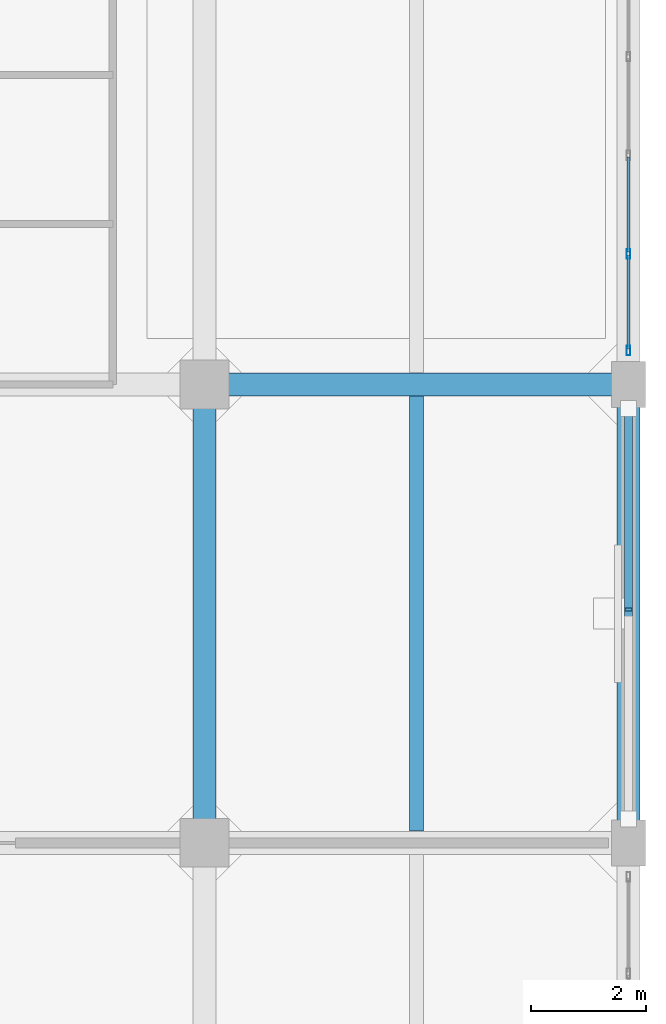
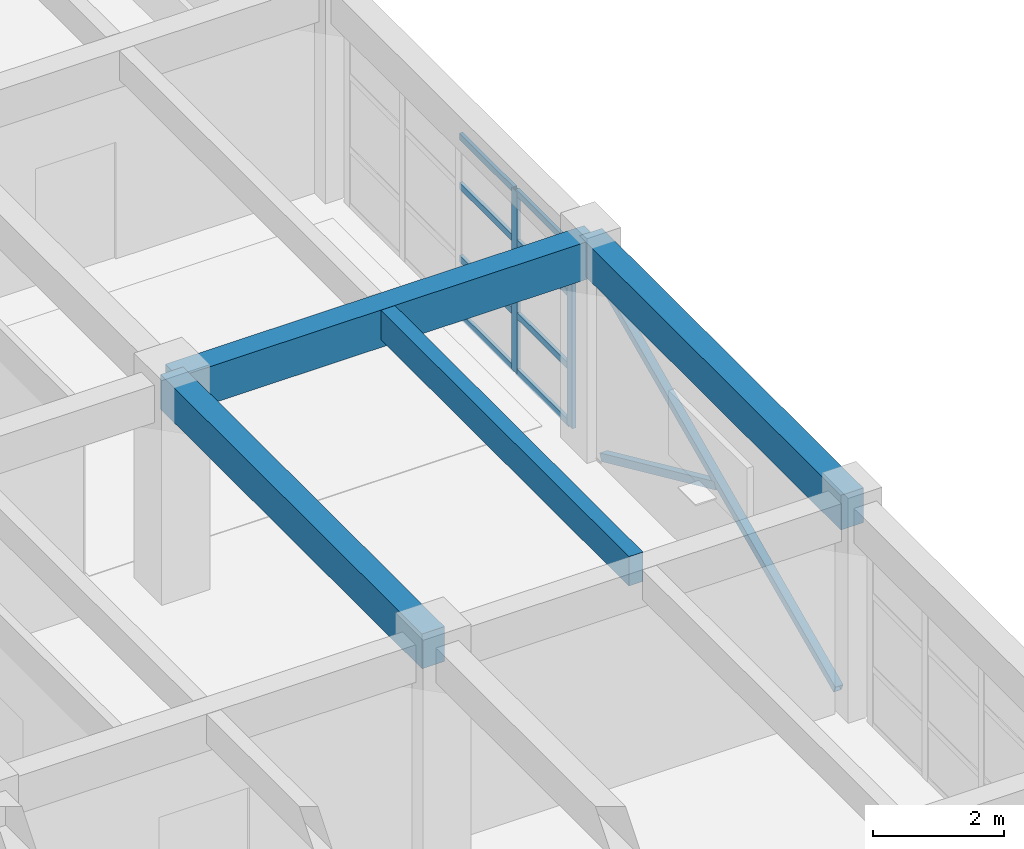
# One storey, part 10 of 27: 12 members, 4 beams, 1 element without a shape of its own.
"""IFC4 building model written with IfcOpenShell, lengths in metres."""

from ifc_helpers import new_model, si_unit, direction, frame, origin, origin_2d, place, context, subcontext, project, spatial, rectangle, hollow_rectangle, extrude, material, layer, layer_set, material_profile, profile_set, type_object, element, aggregate, save


model = new_model("IFC4")

# Units and contexts
model_context = context("Model", 3, precision=1e-05, world=origin(), true_north=direction((0.0, 1.0)))
body_context = subcontext(model_context, "Body", "Model", "MODEL_VIEW")
ifc_project = project(units=[si_unit("LENGTHUNIT", "METRE"), si_unit("AREAUNIT", "SQUARE_METRE"), si_unit("VOLUMEUNIT", "CUBIC_METRE"), si_unit("PLANEANGLEUNIT", "RADIAN"), si_unit("MASSUNIT", "GRAM", prefix="KILO")], contexts=[model_context])

# Site, building, storey
site_placement = place(None, origin())
site = spatial("IfcSite", under=ifc_project, at=site_placement, CompositionType="ELEMENT")
building_placement = place(site_placement, origin())
building = spatial("IfcBuilding", under=site, at=building_placement, Name="Canggui Botanical Conservatory", CompositionType="ELEMENT")
storey_placement = place(building_placement, frame((0.0, 0.0, 31.800048828125)))
storey = spatial("IfcBuildingStorey", under=building, at=storey_placement, Name="L08", CompositionType="ELEMENT", Elevation=31.800048828125)

# Beams
ifc_material_1 = material(Name="Concrete C35", Category="concrete")
ifc_material_profile_1 = material_profile(ifc_material_1, rectangle(XDim=0.25, YDim=0.550048828125, at=origin_2d()), Name="RB 250x550")
ifc_profile_set_1 = profile_set([ifc_material_profile_1], Name="Concrete C35")
beam_type_1 = type_object("IfcBeamType", Name="BM-JST03", PredefinedType="JOIST", material=ifc_profile_set_1)
beam_1_placement = place(storey_placement, frame((173.699951171875, 42.205078125, 3.704833984375), z_axis=(0.0, 1.0, 0.0), x_axis=(-1.0, 0.0, 0.0)))
element("IfcBeam", 1, at=beam_1_placement, inside=storey, type_object=beam_type_1, Name="Secondary Floor Joist L08-5-2", PredefinedType="JOIST", context=body_context, shape_type="SweptSolid", body=[
    extrude(rectangle(XDim=0.25, YDim=0.550048828125, at=origin_2d()), origin(), (0.0, 0.0, 1.0), 7.58984375),
])
ifc_material_profile_2 = material_profile(ifc_material_1, rectangle(XDim=0.39990234375, YDim=0.699951171875, at=origin_2d()), Name="RB 400x700")
ifc_profile_set_2 = profile_set([ifc_material_profile_2], Name="Concrete C35")
beam_type_2 = type_object("IfcBeamType", Name="BM-KL11", PredefinedType="BEAM", material=ifc_profile_set_2)
beam_2_placement = place(storey_placement, frame((170.0, 50.0, 3.6298828125), z_axis=(1.0, 0.0, 0.0), x_axis=(0.0, 1.0, 0.0)))
element("IfcBeam", 2, at=beam_2_placement, inside=storey, type_object=beam_type_2, Name="Frame Girder L08 Y50-5", PredefinedType="BEAM", context=body_context, shape_type="SweptSolid", body=[
    extrude(rectangle(XDim=0.39990234375, YDim=0.699951171875, at=origin_2d()), origin(), (0.0, 0.0, 1.0), 7.39990234375),
])
ifc_material_profile_3 = material_profile(ifc_material_1, rectangle(XDim=0.39990234375, YDim=0.64990234375, at=origin_2d()), Name="RB 400x650")
ifc_profile_set_3 = profile_set([ifc_material_profile_3], Name="Concrete C35")
beam_type_3 = type_object("IfcBeamType", Name="BM-KL12", PredefinedType="BEAM", material=ifc_profile_set_3)
for number, where, z_axis, x_axis, name in (
    (3, (170.0, 42.0, 3.655029296875), (0.0, 1.0, 0.0), (-1.0, 0.0, 0.0), "Frame Girder L08 X170-2"),
    (4, (177.39990234375, 42.0, 3.655029296875), (0.0, 1.0, 0.0), (-1.0, 0.0, 0.0), "Frame Girder L08 X178-2"),
):
    element("IfcBeam", number, at=place(storey_placement, frame(where, z_axis=z_axis, x_axis=x_axis)), inside=storey, type_object=beam_type_3, Name=name, PredefinedType="BEAM", context=body_context, shape_type="SweptSolid", body=[
        extrude(rectangle(XDim=0.39990234375, YDim=0.64990234375, at=origin_2d()), origin(), (0.0, 0.0, 1.0), 8.0),
    ])

# Curtain wall, members
ifc_material_2 = material(Name="Thermally Broken Aluminium", Category="aluminium")
ifc_layer = layer(ifc_material_2, 0.1650390625, Name="Thermally Broken Aluminium", Category="aluminium")
ifc_layer_set = layer_set([ifc_layer], Name="Thermally Broken Aluminium")
curtain_wall_type = type_object("IfcCurtainWallType", Name="CW-UNIT-B", PredefinedType="USERDEFINED", material=ifc_layer_set)
curtain_wall_placement = place(storey_placement, origin())
curtain_wall = element("IfcCurtainWall", 5, at=curtain_wall_placement, inside=storey, type_object=curtain_wall_type, Name="Facade Curtain Wall CW-TWR-L08-18", ObjectType="UNITISED CURTAIN WALL", PredefinedType="USERDEFINED")
ifc_material_profile_4 = material_profile(ifc_material_2, hollow_rectangle(XDim=0.06494140625, YDim=0.1650390625, WallThickness=0.00390625, at=origin_2d()), Name="CWM 65x165x4")
ifc_profile_set_4 = profile_set([ifc_material_profile_4], Name="Thermally Broken Aluminium")
member_type_1 = type_object("IfcMemberType", Name="CWM-02", PredefinedType="MULLION", material=ifc_profile_set_4)
member_1_placement = place(storey_placement, frame((177.39990234375, 52.280029296875, 0.0), z_axis=(0.0, 0.0, 1.0), x_axis=(1.0, 0.0, 0.0)))
member_1 = element("IfcMember", 6, at=member_1_placement, type_object=member_type_1, Name="CW-02 mullion 4", PredefinedType="MULLION", context=body_context, shape_type="SweptSolid", body=[
    extrude(hollow_rectangle(XDim=0.06494140625, YDim=0.1650390625, WallThickness=0.00390625, at=origin_2d()), origin(), (0.0, 0.0, 1.0), 3.39990234375),
])
member_2_placement = place(storey_placement, frame((177.39990234375, 50.592529296875, 0.0), z_axis=(0.0, 0.0, 1.0), x_axis=(1.0, 0.0, 0.0)))
member_2 = element("IfcMember", 7, at=member_2_placement, type_object=member_type_1, Name="CW-02 mullion 5", PredefinedType="MULLION", context=body_context, shape_type="SweptSolid", body=[
    extrude(hollow_rectangle(XDim=0.06494140625, YDim=0.1650390625, WallThickness=0.00390625, at=origin_2d()), origin(), (0.0, 0.0, 1.0), 3.39990234375),
])
ifc_material_profile_5 = material_profile(ifc_material_2, hollow_rectangle(XDim=0.06005859375, YDim=0.1201171875, WallThickness=0.00341796875, at=origin_2d()), Name="CWT 60x120x3.5")
ifc_profile_set_5 = profile_set([ifc_material_profile_5], Name="Thermally Broken Aluminium")
member_type_2 = type_object("IfcMemberType", Name="CWT-02", PredefinedType="USERDEFINED", material=ifc_profile_set_5)
member_3_placement = place(storey_placement, frame((177.39990234375, 53.967529296875, 0.030029296875), z_axis=(0.0, -1.0, 0.0), x_axis=(1.0, 0.0, 0.0)))
member_3 = element("IfcMember", 8, at=member_3_placement, type_object=member_type_2, Name="CW-02 transom 3.1", ObjectType="TRANSOM", PredefinedType="USERDEFINED", context=body_context, shape_type="SweptSolid", body=[
    extrude(hollow_rectangle(XDim=0.06005859375, YDim=0.1201171875, WallThickness=0.00341796875, at=origin_2d()), origin(), (0.0, 0.0, 1.0), 1.655029296875),
])
member_4_placement = place(storey_placement, frame((177.39990234375, 53.967529296875, 1.087890625), z_axis=(0.0, -1.0, 0.0), x_axis=(1.0, 0.0, 0.0)))
member_4 = element("IfcMember", 9, at=member_4_placement, type_object=member_type_2, Name="CW-02 transom 3.2", ObjectType="TRANSOM", PredefinedType="USERDEFINED", context=body_context, shape_type="SweptSolid", body=[
    extrude(hollow_rectangle(XDim=0.06005859375, YDim=0.1201171875, WallThickness=0.00341796875, at=origin_2d()), origin(), (0.0, 0.0, 1.0), 1.655029296875),
])
member_5_placement = place(storey_placement, frame((177.39990234375, 53.967529296875, 2.447998046875), z_axis=(0.0, -1.0, 0.0), x_axis=(1.0, 0.0, 0.0)))
member_5 = element("IfcMember", 10, at=member_5_placement, type_object=member_type_2, Name="CW-02 transom 3.3", ObjectType="TRANSOM", PredefinedType="USERDEFINED", context=body_context, shape_type="SweptSolid", body=[
    extrude(hollow_rectangle(XDim=0.06005859375, YDim=0.1201171875, WallThickness=0.00341796875, at=origin_2d()), origin(), (0.0, 0.0, 1.0), 1.655029296875),
])
member_6_placement = place(storey_placement, frame((177.39990234375, 53.967529296875, 3.369873046875), z_axis=(0.0, -1.0, 0.0), x_axis=(1.0, 0.0, 0.0)))
member_6 = element("IfcMember", 11, at=member_6_placement, type_object=member_type_2, Name="CW-02 transom 3.4", ObjectType="TRANSOM", PredefinedType="USERDEFINED", context=body_context, shape_type="SweptSolid", body=[
    extrude(hollow_rectangle(XDim=0.06005859375, YDim=0.1201171875, WallThickness=0.00341796875, at=origin_2d()), origin(), (0.0, 0.0, 1.0), 1.655029296875),
])
member_7_placement = place(storey_placement, frame((177.39990234375, 52.24755859375, 0.030029296875), z_axis=(0.0, -1.0, 0.0), x_axis=(1.0, 0.0, 0.0)))
member_7 = element("IfcMember", 12, at=member_7_placement, type_object=member_type_2, Name="CW-02 transom 4.1", ObjectType="TRANSOM", PredefinedType="USERDEFINED", context=body_context, shape_type="SweptSolid", body=[
    extrude(hollow_rectangle(XDim=0.06005859375, YDim=0.1201171875, WallThickness=0.00341796875, at=origin_2d()), origin(), (0.0, 0.0, 1.0), 1.62255859375),
])
member_8_placement = place(storey_placement, frame((177.39990234375, 52.24755859375, 1.087890625), z_axis=(0.0, -1.0, 0.0), x_axis=(1.0, 0.0, 0.0)))
member_8 = element("IfcMember", 13, at=member_8_placement, type_object=member_type_2, Name="CW-02 transom 4.2", ObjectType="TRANSOM", PredefinedType="USERDEFINED", context=body_context, shape_type="SweptSolid", body=[
    extrude(hollow_rectangle(XDim=0.06005859375, YDim=0.1201171875, WallThickness=0.00341796875, at=origin_2d()), origin(), (0.0, 0.0, 1.0), 1.62255859375),
])
member_9_placement = place(storey_placement, frame((177.39990234375, 52.24755859375, 2.447998046875), z_axis=(0.0, -1.0, 0.0), x_axis=(1.0, 0.0, 0.0)))
member_9 = element("IfcMember", 14, at=member_9_placement, type_object=member_type_2, Name="CW-02 transom 4.3", ObjectType="TRANSOM", PredefinedType="USERDEFINED", context=body_context, shape_type="SweptSolid", body=[
    extrude(hollow_rectangle(XDim=0.06005859375, YDim=0.1201171875, WallThickness=0.00341796875, at=origin_2d()), origin(), (0.0, 0.0, 1.0), 1.62255859375),
])
member_10_placement = place(storey_placement, frame((177.39990234375, 52.24755859375, 3.369873046875), z_axis=(0.0, -1.0, 0.0), x_axis=(1.0, 0.0, 0.0)))
member_10 = element("IfcMember", 15, at=member_10_placement, type_object=member_type_2, Name="CW-02 transom 4.4", ObjectType="TRANSOM", PredefinedType="USERDEFINED", context=body_context, shape_type="SweptSolid", body=[
    extrude(hollow_rectangle(XDim=0.06005859375, YDim=0.1201171875, WallThickness=0.00341796875, at=origin_2d()), origin(), (0.0, 0.0, 1.0), 1.62255859375),
])
aggregate(curtain_wall, [member_1, member_2, member_3, member_4, member_5, member_6, member_7, member_8, member_9, member_10])

# Members
ifc_material_3 = material(Name="Steel Q355B", Category="steel")
ifc_material_profile_6 = material_profile(ifc_material_3, hollow_rectangle(XDim=0.139892578125, YDim=0.139892578125, WallThickness=0.006103515625, at=origin_2d()), Name="SHS 140x140x6")
ifc_profile_set_6 = profile_set([ifc_material_profile_6], Name="Steel Q355B")
member_type_3 = type_object("IfcMemberType", Name="MEM-ZC05", PredefinedType="BRACE", material=ifc_profile_set_6)
member_11_placement = place(storey_placement, frame((177.39990234375, 42.419921875, 0.050048828125), z_axis=(0.0, 0.910587514128, 0.41331631847), x_axis=(-1.0, 0.0, 0.0)))
element("IfcMember", 16, at=member_11_placement, inside=storey, type_object=member_type_3, Name="Seismic Concentric X-Brace Continuous Diagonal L08-A", PredefinedType="BRACE", context=body_context, shape_type="SweptSolid", body=[
    extrude(hollow_rectangle(XDim=0.139892578125, YDim=0.139892578125, WallThickness=0.006103515625, at=origin_2d()), origin(), (0.0, 0.0, 1.0), 7.86328125),
])
member_12_placement = place(storey_placement, frame((177.39990234375, 49.580078125, 0.050048828125), z_axis=(0.0, -0.910605109252, 0.41327755202), x_axis=(1.0, 0.0, 0.0)))
element("IfcMember", 17, at=member_12_placement, inside=storey, type_object=member_type_3, Name="Seismic Concentric X-Brace Lower Split Diagonal L08-B1", PredefinedType="BRACE", context=body_context, shape_type="SweptSolid", body=[
    extrude(hollow_rectangle(XDim=0.139892578125, YDim=0.139892578125, WallThickness=0.006103515625, at=origin_2d()), origin(), (0.0, 0.0, 1.0), 3.8515625),
])

save(model, "model.ifc")
